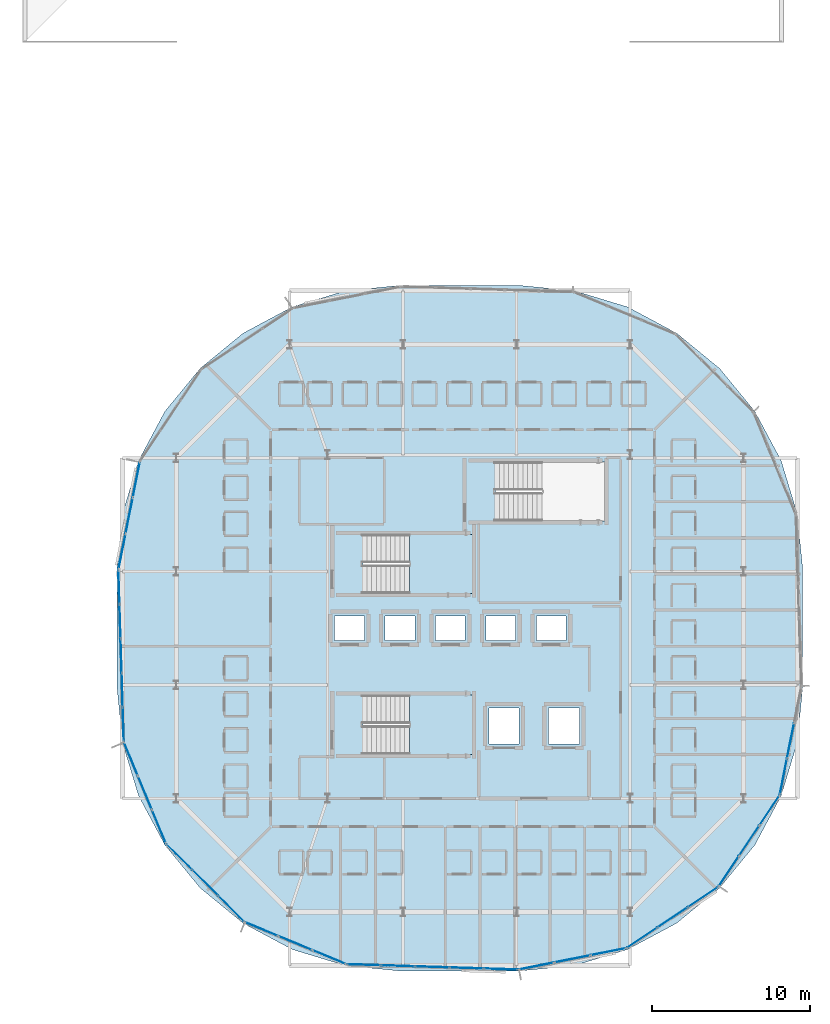
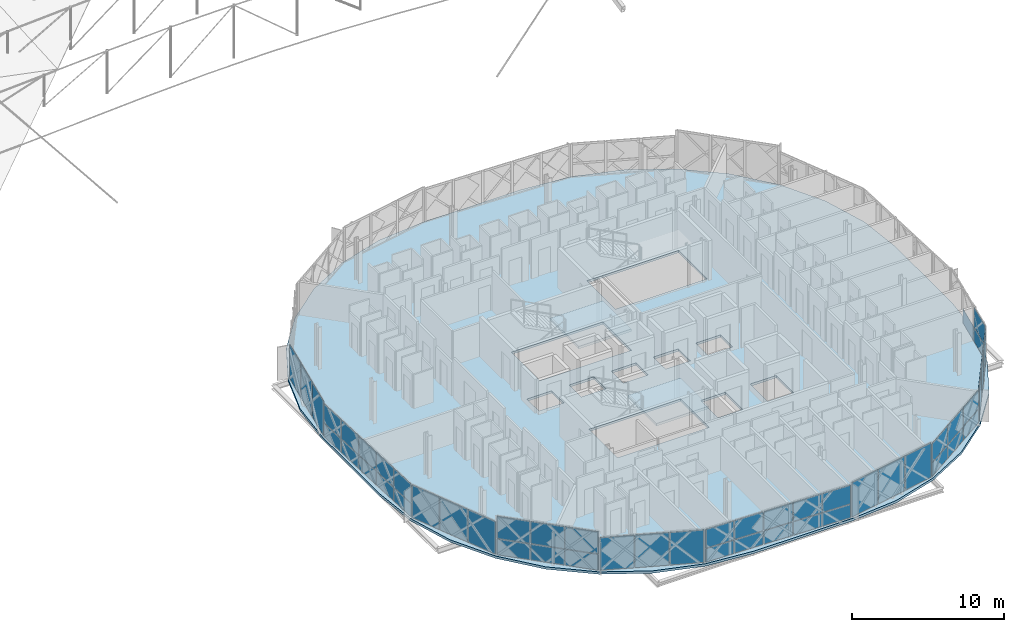
# One storey, part 35 of 50: 50 plates, 3 slabs, 12 elements without a shape of their own.
"""IFC4 building model written with IfcOpenShell, lengths in metres."""

from ifc_helpers import new_model, si_unit, direction, frame, origin, origin_2d, place, context, subcontext, project, spatial, polyline, rectangle, outline, extrude, material, layer, layer_set, type_object, element, aggregate, save


model = new_model("IFC4")

# Units and contexts
model_context = context("Model", 3, precision=1e-05, world=origin(), true_north=direction((0.0, 1.0)))
body_context = subcontext(model_context, "Body", "Model", "MODEL_VIEW")
ifc_project = project(units=[si_unit("LENGTHUNIT", "METRE"), si_unit("AREAUNIT", "SQUARE_METRE"), si_unit("VOLUMEUNIT", "CUBIC_METRE"), si_unit("PLANEANGLEUNIT", "RADIAN"), si_unit("MASSUNIT", "GRAM", prefix="KILO")], contexts=[model_context])

# Site, building, storey
site_placement = place(None, origin())
site = spatial("IfcSite", under=ifc_project, at=site_placement, CompositionType="ELEMENT")
building_placement = place(site_placement, origin())
building = spatial("IfcBuilding", under=site, at=building_placement, Name="Zevrakil Square Congress Hotel", CompositionType="ELEMENT")
storey_placement = place(building_placement, frame((0.0, 0.0, 21.5)))
storey = spatial("IfcBuildingStorey", under=building, at=storey_placement, Name="L06", CompositionType="ELEMENT", Elevation=21.5)

# Curtain wall, plate
ifc_material_1 = material(Name="Aluminium Anodised Bronze", Category="aluminium")
ifc_layer_1 = layer(ifc_material_1, 0.179931640625)
ifc_layer_set_1 = layer_set([ifc_layer_1], Name="Aluminium Anodised Bronze")
curtain_wall_type_1 = type_object("IfcCurtainWallType", Name="CW-L06-720", PredefinedType="USERDEFINED", material=ifc_layer_set_1)
curtain_wall_1_placement = place(storey_placement, origin())
curtain_wall_1 = element("IfcCurtainWall", 1, at=curtain_wall_1_placement, inside=storey, type_object=curtain_wall_type_1, Name="L06 diamond curtain wall CW-L06-0201", ObjectType="GLAZED CURTAIN WALL", PredefinedType="USERDEFINED")
ifc_material_2 = material(Name="Low-E Solar Control Double Glazing", Category="glass")
ifc_layer_2 = layer(ifc_material_2, 0.028076171875)
ifc_layer_set_2 = layer_set([ifc_layer_2], Name="Low-E Solar Control Double Glazing")
plate_type_1 = type_object("IfcPlateType", Name="CWP-GLAZ-28", PredefinedType="CURTAIN_PANEL", material=ifc_layer_set_2)
plate_1_placement = place(storey_placement, frame((150.06494140625, 6.170654296875, 0.06005859375), z_axis=(0.0, 0.0, 1.0), x_axis=(0.980786557708, 0.195083900459, 0.0)))
plate_1 = element("IfcPlate", 2, at=plate_1_placement, type_object=plate_type_1, Name="CW-70 panel 1.1", PredefinedType="CURTAIN_PANEL", context=body_context, shape_type="SweptSolid", body=[
    extrude(rectangle(XDim=2.2451171875, YDim=0.028076171875, at=origin_2d()), origin(), (0.0, 0.0, 1.0), 2.760009765625),
])

# Curtain wall, plates
curtain_wall_2_placement = place(storey_placement, origin())
curtain_wall_2 = element("IfcCurtainWall", 3, at=curtain_wall_2_placement, inside=storey, type_object=curtain_wall_type_1, Name="L06 diamond curtain wall CW-L06-0202", ObjectType="GLAZED CURTAIN WALL", PredefinedType="USERDEFINED")
plate_2_placement = place(storey_placement, frame((158.688720703125, 9.252685546875, 0.06005859375), z_axis=(0.0, 0.0, 1.0), x_axis=(0.831465693332, 0.555576098128, 0.0)))
plate_2 = element("IfcPlate", 4, at=plate_2_placement, type_object=plate_type_1, Name="CW-70 panel 2.1", PredefinedType="CURTAIN_PANEL", context=body_context, shape_type="SweptSolid", body=[
    extrude(rectangle(XDim=2.275146484375, YDim=0.028076171875, at=origin_2d()), origin(), (0.0, 0.0, 1.0), 1.056640625),
])
plate_3_placement = place(storey_placement, frame((160.61767578125, 10.541748046875, 0.06005859375), z_axis=(0.0, 0.0, 1.0), x_axis=(0.831465693332, 0.555576098128, 0.0)))
plate_3 = element("IfcPlate", 5, at=plate_3_placement, type_object=plate_type_1, Name="CW-70 panel 3.1", PredefinedType="CURTAIN_PANEL", context=body_context, shape_type="SweptSolid", body=[
    extrude(rectangle(XDim=2.2451171875, YDim=0.028076171875, at=origin_2d()), origin(), (0.0, 0.0, 1.0), 1.056640625),
])

# Curtain wall, plate
curtain_wall_3_placement = place(storey_placement, origin())
curtain_wall_3 = element("IfcCurtainWall", 6, at=curtain_wall_3_placement, inside=storey, type_object=curtain_wall_type_1, Name="L06 diamond curtain wall CW-L06-0203", ObjectType="GLAZED CURTAIN WALL", PredefinedType="USERDEFINED")
plate_4_placement = place(storey_placement, frame((163.547119140625, 14.111328125, 0.06005859375), z_axis=(0.0, 0.0, 1.0), x_axis=(0.555576098128, 0.831465693332, 0.0)))
plate_4 = element("IfcPlate", 7, at=plate_4_placement, type_object=plate_type_1, Name="CW-70 panel 2.1", PredefinedType="CURTAIN_PANEL", context=body_context, shape_type="SweptSolid", body=[
    extrude(rectangle(XDim=2.275146484375, YDim=0.028076171875, at=origin_2d()), origin(), (0.0, 0.0, 1.0), 2.610107421875),
])

# Curtain wall, plates
curtain_wall_4_placement = place(storey_placement, origin())
curtain_wall_4 = element("IfcCurtainWall", 8, at=curtain_wall_4_placement, inside=storey, type_object=curtain_wall_type_1, Name="L06 diamond curtain wall CW-L06-0204", ObjectType="GLAZED CURTAIN WALL", PredefinedType="USERDEFINED")
plate_5_placement = place(storey_placement, frame((165.72412109375, 18.183837890625, 0.06005859375), z_axis=(0.0, 0.0, 1.0), x_axis=(0.195083900459, 0.980786557708, 0.0)))
plate_5 = element("IfcPlate", 9, at=plate_5_placement, type_object=plate_type_1, Name="CW-70 panel 1.1", PredefinedType="CURTAIN_PANEL", context=body_context, shape_type="SweptSolid", body=[
    extrude(rectangle(XDim=2.2451171875, YDim=0.028076171875, at=origin_2d()), origin(), (0.0, 0.0, 1.0), 1.11962890625),
])
plate_6_placement = place(storey_placement, frame((166.1767578125, 20.45947265625, 0.06005859375), z_axis=(0.0, 0.0, 1.0), x_axis=(0.195083900459, 0.980786557708, 0.0)))
plate_6 = element("IfcPlate", 10, at=plate_6_placement, type_object=plate_type_1, Name="CW-70 panel 2.1", PredefinedType="CURTAIN_PANEL", context=body_context, shape_type="SweptSolid", body=[
    extrude(rectangle(XDim=2.275146484375, YDim=0.028076171875, at=origin_2d()), origin(), (0.0, 0.0, 1.0), 1.11962890625),
])

# Curtain wall, plate
curtain_wall_5_placement = place(storey_placement, origin())
curtain_wall_5 = element("IfcCurtainWall", 11, at=curtain_wall_5_placement, inside=storey, type_object=curtain_wall_type_1, Name="L06 diamond curtain wall CW-L06-0213", ObjectType="GLAZED CURTAIN WALL", PredefinedType="USERDEFINED")
plate_7_placement = place(storey_placement, frame((124.223388671875, 34.740478515625, 0.06005859375), z_axis=(0.0, 0.0, 1.0), x_axis=(-0.195083900459, -0.980786557708, 0.0)))
plate_7 = element("IfcPlate", 12, at=plate_7_placement, type_object=plate_type_1, Name="CW-70 panel 2.1", PredefinedType="CURTAIN_PANEL", context=body_context, shape_type="SweptSolid", body=[
    extrude(rectangle(XDim=2.275146484375, YDim=0.028076171875, at=origin_2d()), origin(), (0.0, 0.0, 1.0), 2.760009765625),
])

# Curtain wall, plates
ifc_material_3 = material(Name="Aluminium Anodised Bronze", Category="aluminium")
ifc_layer_3 = layer(ifc_material_3, 0.179931640625)
ifc_layer_set_3 = layer_set([ifc_layer_3], Name="Aluminium Anodised Bronze")
curtain_wall_type_2 = type_object("IfcCurtainWallType", Name="CW-L06-900", PredefinedType="USERDEFINED", material=ifc_layer_set_3)
curtain_wall_6_placement = place(storey_placement, origin())
curtain_wall_6 = element("IfcCurtainWall", 13, at=curtain_wall_6_placement, inside=storey, type_object=curtain_wall_type_2, Name="L06 diamond curtain wall CW-L06-0214", ObjectType="GLAZED CURTAIN WALL", PredefinedType="USERDEFINED")
plate_8_placement = place(storey_placement, frame((123.574951171875, 30.19873046875, 0.06005859375), z_axis=(0.0, 0.0, 1.0), x_axis=(0.031598464383, -0.999500643846, 0.0)))
plate_8 = element("IfcPlate", 14, at=plate_8_placement, type_object=plate_type_1, Name="CW-72 panel 1.1", PredefinedType="CURTAIN_PANEL", context=body_context, shape_type="SweptSolid", body=[
    extrude(rectangle(XDim=2.09375, YDim=0.028076171875, at=origin_2d()), origin(), (0.0, 0.0, 1.0), 1.056640625),
])
plate_9_placement = place(storey_placement, frame((123.6435546875, 28.03125, 0.06005859375), z_axis=(0.0, 0.0, 1.0), x_axis=(0.031598464383, -0.999500643846, 0.0)))
plate_9 = element("IfcPlate", 15, at=plate_9_placement, type_object=plate_type_1, Name="CW-72 panel 2.1", PredefinedType="CURTAIN_PANEL", context=body_context, shape_type="SweptSolid", body=[
    extrude(rectangle(XDim=2.12353515625, YDim=0.028076171875, at=origin_2d()), origin(), (0.0, 0.0, 1.0), 1.056640625),
])
plate_10_placement = place(storey_placement, frame((123.71240234375, 25.8486328125, 1.1767578125), z_axis=(0.0, 0.0, 1.0), x_axis=(0.031598464383, -0.999500643846, 0.0)))
plate_10 = element("IfcPlate", 16, at=plate_10_placement, type_object=plate_type_1, Name="CW-72 panel 3.2", PredefinedType="CURTAIN_PANEL", context=body_context, shape_type="SweptSolid", body=[
    extrude(rectangle(XDim=2.12353515625, YDim=0.028076171875, at=origin_2d()), origin(), (0.0, 0.0, 1.0), 1.493408203125),
])
plate_11_placement = place(storey_placement, frame((123.781494140625, 23.666015625, 1.1767578125), z_axis=(0.0, 0.0, 1.0), x_axis=(0.031598464383, -0.999500643846, 0.0)))
plate_11 = element("IfcPlate", 17, at=plate_11_placement, type_object=plate_type_1, Name="CW-72 panel 4.2", PredefinedType="CURTAIN_PANEL", context=body_context, shape_type="SweptSolid", body=[
    extrude(rectangle(XDim=2.12353515625, YDim=0.028076171875, at=origin_2d()), origin(), (0.0, 0.0, 1.0), 1.493408203125),
])

# Curtain wall, plate
curtain_wall_7_placement = place(storey_placement, origin())
curtain_wall_7 = element("IfcCurtainWall", 18, at=curtain_wall_7_placement, inside=storey, type_object=curtain_wall_type_1, Name="L06 diamond curtain wall CW-L06-0215", ObjectType="GLAZED CURTAIN WALL", PredefinedType="USERDEFINED")
plate_12_placement = place(storey_placement, frame((125.2255859375, 17.156005859375, 0.06005859375), z_axis=(0.0, 0.0, 1.0), x_axis=(0.382683763454, -0.92387939537, 0.0)))
plate_12 = element("IfcPlate", 19, at=plate_12_placement, type_object=plate_type_1, Name="CW-70 panel 2.1", PredefinedType="CURTAIN_PANEL", context=body_context, shape_type="SweptSolid", body=[
    extrude(rectangle(XDim=2.275146484375, YDim=0.028076171875, at=origin_2d()), origin(), (0.0, 0.0, 1.0), 2.610107421875),
])

# Curtain wall, plates
curtain_wall_8_placement = place(storey_placement, origin())
curtain_wall_8 = element("IfcCurtainWall", 20, at=curtain_wall_8_placement, inside=storey, type_object=curtain_wall_type_1, Name="L06 diamond curtain wall CW-L06-0216", ObjectType="GLAZED CURTAIN WALL", PredefinedType="USERDEFINED")
plate_13_placement = place(storey_placement, frame((127.40234375, 13.08349609375, 0.06005859375), z_axis=(0.0, 0.0, 1.0), x_axis=(0.707106781187, -0.707106781187, 0.0)))
plate_13 = element("IfcPlate", 21, at=plate_13_placement, type_object=plate_type_1, Name="CW-70 panel 1.1", PredefinedType="CURTAIN_PANEL", context=body_context, shape_type="SweptSolid", body=[
    extrude(rectangle(XDim=2.2451171875, YDim=0.028076171875, at=origin_2d()), origin(), (0.0, 0.0, 1.0), 1.251953125),
])
plate_14_placement = place(storey_placement, frame((129.04296875, 11.44287109375, 1.371826171875), z_axis=(0.0, 0.0, 1.0), x_axis=(0.707106781187, -0.707106781187, 0.0)))
plate_14 = element("IfcPlate", 22, at=plate_14_placement, type_object=plate_type_1, Name="CW-70 panel 2.2", PredefinedType="CURTAIN_PANEL", context=body_context, shape_type="SweptSolid", body=[
    extrude(rectangle(XDim=2.275146484375, YDim=0.028076171875, at=origin_2d()), origin(), (0.0, 0.0, 1.0), 1.76318359375),
])
plate_15_placement = place(storey_placement, frame((130.68359375, 9.80224609375, 1.371826171875), z_axis=(0.0, 0.0, 1.0), x_axis=(0.707106781187, -0.707106781187, 0.0)))
plate_15 = element("IfcPlate", 23, at=plate_15_placement, type_object=plate_type_1, Name="CW-70 panel 3.2", PredefinedType="CURTAIN_PANEL", context=body_context, shape_type="SweptSolid", body=[
    extrude(rectangle(XDim=2.2451171875, YDim=0.028076171875, at=origin_2d()), origin(), (0.0, 0.0, 1.0), 1.76318359375),
])

# Curtain wall, plate
curtain_wall_9_placement = place(storey_placement, origin())
curtain_wall_9 = element("IfcCurtainWall", 24, at=curtain_wall_9_placement, inside=storey, type_object=curtain_wall_type_1, Name="L06 diamond curtain wall CW-L06-0217", ObjectType="GLAZED CURTAIN WALL", PredefinedType="USERDEFINED")
plate_16_placement = place(storey_placement, frame((136.899658203125, 6.737548828125, 0.06005859375), z_axis=(0.0, 0.0, 1.0), x_axis=(0.92387939537, -0.382683763454, 0.0)))
plate_16 = element("IfcPlate", 25, at=plate_16_placement, type_object=plate_type_1, Name="CW-70 panel 3.1", PredefinedType="CURTAIN_PANEL", context=body_context, shape_type="SweptSolid", body=[
    extrude(rectangle(XDim=2.245361328125, YDim=0.028076171875, at=origin_2d()), origin(), (0.0, 0.0, 1.0), 2.610107421875),
])

# Curtain wall, plates
curtain_wall_10_placement = place(storey_placement, origin())
curtain_wall_10 = element("IfcCurtainWall", 26, at=curtain_wall_10_placement, inside=storey, type_object=curtain_wall_type_2, Name="L06 diamond curtain wall CW-L06-0218", ObjectType="GLAZED CURTAIN WALL", PredefinedType="USERDEFINED")
plate_17_placement = place(storey_placement, frame((139.098388671875, 6.25, 1.1767578125), z_axis=(0.0, 0.0, 1.0), x_axis=(0.999500643846, -0.031598464383, 0.0)))
plate_17 = element("IfcPlate", 27, at=plate_17_placement, type_object=plate_type_1, Name="CW-72 panel 1.2", PredefinedType="CURTAIN_PANEL", context=body_context, shape_type="SweptSolid", body=[
    extrude(rectangle(XDim=2.09375, YDim=0.028076171875, at=origin_2d()), origin(), (0.0, 0.0, 1.0), 1.493408203125),
])
plate_18_placement = place(storey_placement, frame((141.26611328125, 6.181396484375, 1.1767578125), z_axis=(0.0, 0.0, 1.0), x_axis=(0.999500643846, -0.031598464383, 0.0)))
plate_18 = element("IfcPlate", 28, at=plate_18_placement, type_object=plate_type_1, Name="CW-72 panel 2.2", PredefinedType="CURTAIN_PANEL", context=body_context, shape_type="SweptSolid", body=[
    extrude(rectangle(XDim=2.12353515625, YDim=0.028076171875, at=origin_2d()), origin(), (0.0, 0.0, 1.0), 1.493408203125),
])
plate_19_placement = place(storey_placement, frame((145.631103515625, 6.04345703125, 0.06005859375), z_axis=(0.0, 0.0, 1.0), x_axis=(0.999500643846, -0.031598464383, 0.0)))
plate_19 = element("IfcPlate", 29, at=plate_19_placement, type_object=plate_type_1, Name="CW-72 panel 4.1", PredefinedType="CURTAIN_PANEL", context=body_context, shape_type="SweptSolid", body=[
    extrude(rectangle(XDim=2.12353515625, YDim=0.028076171875, at=origin_2d()), origin(), (0.0, 0.0, 1.0), 1.056640625),
])
plate_20_placement = place(storey_placement, frame((147.798828125, 5.974853515625, 0.06005859375), z_axis=(0.0, 0.0, 1.0), x_axis=(0.999500643846, -0.031598464383, 0.0)))
plate_20 = element("IfcPlate", 30, at=plate_20_placement, type_object=plate_type_1, Name="CW-72 panel 5.1", PredefinedType="CURTAIN_PANEL", context=body_context, shape_type="SweptSolid", body=[
    extrude(rectangle(XDim=2.09375, YDim=0.028076171875, at=origin_2d()), origin(), (0.0, 0.0, 1.0), 1.056640625),
])

# Plate
ifc_material_4 = material(Name="Basalt Grey Ribbed GRC Panel", Category="masonry")
ifc_layer_4 = layer(ifc_material_4, 0.0439453125)
ifc_layer_set_4 = layer_set([ifc_layer_4], Name="Basalt Grey Ribbed GRC Panel")
plate_type_2 = type_object("IfcPlateType", Name="CWP-GRCG-44", PredefinedType="CURTAIN_PANEL", material=ifc_layer_set_4)
plate_21_placement = place(storey_placement, frame((154.6162109375, 7.075927734375, 0.06005859375), z_axis=(0.0, 0.0, 1.0), x_axis=(0.980786557708, 0.195083900459, 0.0)))
plate_21 = element("IfcPlate", 31, at=plate_21_placement, type_object=plate_type_2, Name="CW-70 panel 3.1", PredefinedType="CURTAIN_PANEL", context=body_context, shape_type="SweptSolid", body=[
    extrude(rectangle(XDim=2.2451171875, YDim=0.028076171875, at=origin_2d()), origin(), (0.0, 0.0, 1.0), 2.760009765625),
])

plate_22_placement = place(storey_placement, frame((156.759521484375, 7.963623046875, 1.1767578125), z_axis=(0.0, 0.0, 1.0), x_axis=(0.831465693332, 0.555576098128, 0.0)))
plate_22 = element("IfcPlate", 32, at=plate_22_placement, type_object=plate_type_2, Name="CW-70 panel 1.2", PredefinedType="CURTAIN_PANEL", context=body_context, shape_type="SweptSolid", body=[
    extrude(rectangle(XDim=2.2451171875, YDim=0.028076171875, at=origin_2d()), origin(), (0.0, 0.0, 1.0), 1.493408203125),
])

plate_23_placement = place(storey_placement, frame((162.258056640625, 12.18212890625, 0.06005859375), z_axis=(0.0, 0.0, 1.0), x_axis=(0.555576098128, 0.831465693332, 0.0)))
plate_23 = element("IfcPlate", 33, at=plate_23_placement, type_object=plate_type_2, Name="CW-70 panel 1.1", PredefinedType="CURTAIN_PANEL", context=body_context, shape_type="SweptSolid", body=[
    extrude(rectangle(XDim=2.2451171875, YDim=0.028076171875, at=origin_2d()), origin(), (0.0, 0.0, 1.0), 2.610107421875),
])

plate_24_placement = place(storey_placement, frame((124.676025390625, 37.01611328125, 0.06005859375), z_axis=(0.0, 0.0, 1.0), x_axis=(-0.195083900459, -0.980786557708, 0.0)))
plate_24 = element("IfcPlate", 34, at=plate_24_placement, type_object=plate_type_2, Name="CW-70 panel 1.1", PredefinedType="CURTAIN_PANEL", context=body_context, shape_type="SweptSolid", body=[
    extrude(rectangle(XDim=2.2451171875, YDim=0.028076171875, at=origin_2d()), origin(), (0.0, 0.0, 1.0), 2.760009765625),
])

plate_25_placement = place(storey_placement, frame((123.71240234375, 25.8486328125, 0.06005859375), z_axis=(0.0, 0.0, 1.0), x_axis=(0.031598464383, -0.999500643846, 0.0)))
plate_25 = element("IfcPlate", 35, at=plate_25_placement, type_object=plate_type_2, Name="CW-72 panel 3.1", PredefinedType="CURTAIN_PANEL", context=body_context, shape_type="SweptSolid", body=[
    extrude(rectangle(XDim=2.12353515625, YDim=0.028076171875, at=origin_2d()), origin(), (0.0, 0.0, 1.0), 1.056640625),
])

plate_26_placement = place(storey_placement, frame((123.85009765625, 21.49853515625, 1.1767578125), z_axis=(0.0, 0.0, 1.0), x_axis=(0.031598464383, -0.999500643846, 0.0)))
plate_26 = element("IfcPlate", 36, at=plate_26_placement, type_object=plate_type_2, Name="CW-72 panel 5.2", PredefinedType="CURTAIN_PANEL", context=body_context, shape_type="SweptSolid", body=[
    extrude(rectangle(XDim=2.09375, YDim=0.028076171875, at=origin_2d()), origin(), (0.0, 0.0, 1.0), 1.493408203125),
])

plate_27_placement = place(storey_placement, frame((129.04296875, 11.44287109375, 0.06005859375), z_axis=(0.0, 0.0, 1.0), x_axis=(0.707106781187, -0.707106781187, 0.0)))
plate_27 = element("IfcPlate", 37, at=plate_27_placement, type_object=plate_type_2, Name="CW-70 panel 2.1", PredefinedType="CURTAIN_PANEL", context=body_context, shape_type="SweptSolid", body=[
    extrude(rectangle(XDim=2.275146484375, YDim=0.028076171875, at=origin_2d()), origin(), (0.0, 0.0, 1.0), 1.251953125),
])

plate_28_placement = place(storey_placement, frame((134.755859375, 7.62548828125, 0.06005859375), z_axis=(0.0, 0.0, 1.0), x_axis=(0.92387939537, -0.382683763454, 0.0)))
plate_28 = element("IfcPlate", 38, at=plate_28_placement, type_object=plate_type_2, Name="CW-70 panel 2.1", PredefinedType="CURTAIN_PANEL", context=body_context, shape_type="SweptSolid", body=[
    extrude(rectangle(XDim=2.275146484375, YDim=0.028076171875, at=origin_2d()), origin(), (0.0, 0.0, 1.0), 2.610107421875),
])

plate_29_placement = place(storey_placement, frame((139.098388671875, 6.25, 0.06005859375), z_axis=(0.0, 0.0, 1.0), x_axis=(0.999500643846, -0.031598464383, 0.0)))
plate_29 = element("IfcPlate", 39, at=plate_29_placement, type_object=plate_type_2, Name="CW-72 panel 1.1", PredefinedType="CURTAIN_PANEL", context=body_context, shape_type="SweptSolid", body=[
    extrude(rectangle(XDim=2.09375, YDim=0.028076171875, at=origin_2d()), origin(), (0.0, 0.0, 1.0), 1.056640625),
])

plate_30_placement = place(storey_placement, frame((143.448486328125, 6.112548828125, 1.1767578125), z_axis=(0.0, 0.0, 1.0), x_axis=(0.999500643846, -0.031598464383, 0.0)))
plate_30 = element("IfcPlate", 40, at=plate_30_placement, type_object=plate_type_2, Name="CW-72 panel 3.2", PredefinedType="CURTAIN_PANEL", context=body_context, shape_type="SweptSolid", body=[
    extrude(rectangle(XDim=2.12353515625, YDim=0.028076171875, at=origin_2d()), origin(), (0.0, 0.0, 1.0), 1.493408203125),
])

ifc_material_5 = material(Name="White Ribbed Highland GRC Panel", Category="concrete")
ifc_layer_5 = layer(ifc_material_5, 0.0400390625)
ifc_layer_set_5 = layer_set([ifc_layer_5], Name="White Ribbed Highland GRC Panel")
plate_type_3 = type_object("IfcPlateType", Name="CWP-GRCW-40", PredefinedType="CURTAIN_PANEL", material=ifc_layer_set_5)
plate_31_placement = place(storey_placement, frame((152.340576171875, 6.623291015625, 0.06005859375), z_axis=(0.0, 0.0, 1.0), x_axis=(0.980786557708, 0.195083900459, 0.0)))
plate_31 = element("IfcPlate", 41, at=plate_31_placement, type_object=plate_type_3, Name="CW-70 panel 2.1", PredefinedType="CURTAIN_PANEL", context=body_context, shape_type="SweptSolid", body=[
    extrude(rectangle(XDim=2.275146484375, YDim=0.028076171875, at=origin_2d()), origin(), (0.0, 0.0, 1.0), 2.760009765625),
])

aggregate(curtain_wall_1, [plate_1, plate_31, plate_21])

plate_32_placement = place(storey_placement, frame((156.759521484375, 7.963623046875, 0.06005859375), z_axis=(0.0, 0.0, 1.0), x_axis=(0.831465693332, 0.555576098128, 0.0)))
plate_32 = element("IfcPlate", 42, at=plate_32_placement, type_object=plate_type_3, Name="CW-70 panel 1.1", PredefinedType="CURTAIN_PANEL", context=body_context, shape_type="SweptSolid", body=[
    extrude(rectangle(XDim=2.2451171875, YDim=0.028076171875, at=origin_2d()), origin(), (0.0, 0.0, 1.0), 1.056640625),
])

plate_33_placement = place(storey_placement, frame((158.688720703125, 9.252685546875, 1.1767578125), z_axis=(0.0, 0.0, 1.0), x_axis=(0.831465693332, 0.555576098128, 0.0)))
plate_33 = element("IfcPlate", 43, at=plate_33_placement, type_object=plate_type_3, Name="CW-70 panel 2.2", PredefinedType="CURTAIN_PANEL", context=body_context, shape_type="SweptSolid", body=[
    extrude(rectangle(XDim=2.275146484375, YDim=0.028076171875, at=origin_2d()), origin(), (0.0, 0.0, 1.0), 1.493408203125),
])

plate_34_placement = place(storey_placement, frame((160.61767578125, 10.541748046875, 1.1767578125), z_axis=(0.0, 0.0, 1.0), x_axis=(0.831465693332, 0.555576098128, 0.0)))
plate_34 = element("IfcPlate", 44, at=plate_34_placement, type_object=plate_type_3, Name="CW-70 panel 3.2", PredefinedType="CURTAIN_PANEL", context=body_context, shape_type="SweptSolid", body=[
    extrude(rectangle(XDim=2.2451171875, YDim=0.028076171875, at=origin_2d()), origin(), (0.0, 0.0, 1.0), 1.493408203125),
])

aggregate(curtain_wall_2, [plate_32, plate_22, plate_2, plate_33, plate_3, plate_34])

plate_35_placement = place(storey_placement, frame((164.836181640625, 16.04052734375, 0.06005859375), z_axis=(0.0, 0.0, 1.0), x_axis=(0.555576098128, 0.831465693332, 0.0)))
plate_35 = element("IfcPlate", 45, at=plate_35_placement, type_object=plate_type_3, Name="CW-70 panel 3.1", PredefinedType="CURTAIN_PANEL", context=body_context, shape_type="SweptSolid", body=[
    extrude(rectangle(XDim=2.2451171875, YDim=0.028076171875, at=origin_2d()), origin(), (0.0, 0.0, 1.0), 2.610107421875),
])

aggregate(curtain_wall_3, [plate_23, plate_4, plate_35])

plate_36_placement = place(storey_placement, frame((165.72412109375, 18.183837890625, 1.23974609375), z_axis=(0.0, 0.0, 1.0), x_axis=(0.195083900459, 0.980786557708, 0.0)))
plate_36 = element("IfcPlate", 46, at=plate_36_placement, type_object=plate_type_3, Name="CW-70 panel 1.2", PredefinedType="CURTAIN_PANEL", context=body_context, shape_type="SweptSolid", body=[
    extrude(rectangle(XDim=2.2451171875, YDim=0.028076171875, at=origin_2d()), origin(), (0.0, 0.0, 1.0), 1.580322265625),
])

aggregate(curtain_wall_4, [plate_5, plate_36, plate_6])

plate_37_placement = place(storey_placement, frame((123.770751953125, 32.46484375, 0.06005859375), z_axis=(0.0, 0.0, 1.0), x_axis=(-0.195083900459, -0.980786557708, 0.0)))
plate_37 = element("IfcPlate", 47, at=plate_37_placement, type_object=plate_type_3, Name="CW-70 panel 3.1", PredefinedType="CURTAIN_PANEL", context=body_context, shape_type="SweptSolid", body=[
    extrude(rectangle(XDim=2.2451171875, YDim=0.028076171875, at=origin_2d()), origin(), (0.0, 0.0, 1.0), 2.760009765625),
])

aggregate(curtain_wall_5, [plate_24, plate_7, plate_37])

plate_38_placement = place(storey_placement, frame((123.574951171875, 30.19873046875, 1.1767578125), z_axis=(0.0, 0.0, 1.0), x_axis=(0.031598464383, -0.999500643846, 0.0)))
plate_38 = element("IfcPlate", 48, at=plate_38_placement, type_object=plate_type_3, Name="CW-72 panel 1.2", PredefinedType="CURTAIN_PANEL", context=body_context, shape_type="SweptSolid", body=[
    extrude(rectangle(XDim=2.09375, YDim=0.028076171875, at=origin_2d()), origin(), (0.0, 0.0, 1.0), 1.493408203125),
])

plate_39_placement = place(storey_placement, frame((123.6435546875, 28.03125, 1.1767578125), z_axis=(0.0, 0.0, 1.0), x_axis=(0.031598464383, -0.999500643846, 0.0)))
plate_39 = element("IfcPlate", 49, at=plate_39_placement, type_object=plate_type_3, Name="CW-72 panel 2.2", PredefinedType="CURTAIN_PANEL", context=body_context, shape_type="SweptSolid", body=[
    extrude(rectangle(XDim=2.12353515625, YDim=0.028076171875, at=origin_2d()), origin(), (0.0, 0.0, 1.0), 1.493408203125),
])

plate_40_placement = place(storey_placement, frame((123.781494140625, 23.666015625, 0.06005859375), z_axis=(0.0, 0.0, 1.0), x_axis=(0.031598464383, -0.999500643846, 0.0)))
plate_40 = element("IfcPlate", 50, at=plate_40_placement, type_object=plate_type_3, Name="CW-72 panel 4.1", PredefinedType="CURTAIN_PANEL", context=body_context, shape_type="SweptSolid", body=[
    extrude(rectangle(XDim=2.12353515625, YDim=0.028076171875, at=origin_2d()), origin(), (0.0, 0.0, 1.0), 1.056640625),
])

plate_41_placement = place(storey_placement, frame((123.85009765625, 21.49853515625, 0.06005859375), z_axis=(0.0, 0.0, 1.0), x_axis=(0.031598464383, -0.999500643846, 0.0)))
plate_41 = element("IfcPlate", 51, at=plate_41_placement, type_object=plate_type_3, Name="CW-72 panel 5.1", PredefinedType="CURTAIN_PANEL", context=body_context, shape_type="SweptSolid", body=[
    extrude(rectangle(XDim=2.09375, YDim=0.028076171875, at=origin_2d()), origin(), (0.0, 0.0, 1.0), 1.056640625),
])

aggregate(curtain_wall_6, [plate_8, plate_38, plate_9, plate_39, plate_25, plate_10, plate_40, plate_11, plate_41, plate_26])

plate_42_placement = place(storey_placement, frame((124.337646484375, 19.299560546875, 0.06005859375), z_axis=(0.0, 0.0, 1.0), x_axis=(0.382683763454, -0.92387939537, 0.0)))
plate_42 = element("IfcPlate", 52, at=plate_42_placement, type_object=plate_type_3, Name="CW-70 panel 1.1", PredefinedType="CURTAIN_PANEL", context=body_context, shape_type="SweptSolid", body=[
    extrude(rectangle(XDim=2.245361328125, YDim=0.028076171875, at=origin_2d()), origin(), (0.0, 0.0, 1.0), 2.610107421875),
])

plate_43_placement = place(storey_placement, frame((126.113525390625, 15.01220703125, 0.06005859375), z_axis=(0.0, 0.0, 1.0), x_axis=(0.382683763454, -0.92387939537, 0.0)))
plate_43 = element("IfcPlate", 53, at=plate_43_placement, type_object=plate_type_3, Name="CW-70 panel 3.1", PredefinedType="CURTAIN_PANEL", context=body_context, shape_type="SweptSolid", body=[
    extrude(rectangle(XDim=2.245361328125, YDim=0.028076171875, at=origin_2d()), origin(), (0.0, 0.0, 1.0), 2.610107421875),
])

aggregate(curtain_wall_7, [plate_42, plate_12, plate_43])

plate_44_placement = place(storey_placement, frame((127.40234375, 13.08349609375, 1.371826171875), z_axis=(0.0, 0.0, 1.0), x_axis=(0.707106781187, -0.707106781187, 0.0)))
plate_44 = element("IfcPlate", 54, at=plate_44_placement, type_object=plate_type_3, Name="CW-70 panel 1.2", PredefinedType="CURTAIN_PANEL", context=body_context, shape_type="SweptSolid", body=[
    extrude(rectangle(XDim=2.2451171875, YDim=0.028076171875, at=origin_2d()), origin(), (0.0, 0.0, 1.0), 1.76318359375),
])

plate_45_placement = place(storey_placement, frame((130.68359375, 9.80224609375, 0.06005859375), z_axis=(0.0, 0.0, 1.0), x_axis=(0.707106781187, -0.707106781187, 0.0)))
plate_45 = element("IfcPlate", 55, at=plate_45_placement, type_object=plate_type_3, Name="CW-70 panel 3.1", PredefinedType="CURTAIN_PANEL", context=body_context, shape_type="SweptSolid", body=[
    extrude(rectangle(XDim=2.2451171875, YDim=0.028076171875, at=origin_2d()), origin(), (0.0, 0.0, 1.0), 1.251953125),
])

aggregate(curtain_wall_8, [plate_13, plate_44, plate_27, plate_14, plate_45, plate_15])

plate_46_placement = place(storey_placement, frame((132.6123046875, 8.513427734375, 0.06005859375), z_axis=(0.0, 0.0, 1.0), x_axis=(0.92387939537, -0.382683763454, 0.0)))
plate_46 = element("IfcPlate", 56, at=plate_46_placement, type_object=plate_type_3, Name="CW-70 panel 1.1", PredefinedType="CURTAIN_PANEL", context=body_context, shape_type="SweptSolid", body=[
    extrude(rectangle(XDim=2.245361328125, YDim=0.028076171875, at=origin_2d()), origin(), (0.0, 0.0, 1.0), 2.610107421875),
])

aggregate(curtain_wall_9, [plate_46, plate_28, plate_16])

plate_47_placement = place(storey_placement, frame((141.26611328125, 6.181396484375, 0.06005859375), z_axis=(0.0, 0.0, 1.0), x_axis=(0.999500643846, -0.031598464383, 0.0)))
plate_47 = element("IfcPlate", 57, at=plate_47_placement, type_object=plate_type_3, Name="CW-72 panel 2.1", PredefinedType="CURTAIN_PANEL", context=body_context, shape_type="SweptSolid", body=[
    extrude(rectangle(XDim=2.12353515625, YDim=0.028076171875, at=origin_2d()), origin(), (0.0, 0.0, 1.0), 1.056640625),
])

plate_48_placement = place(storey_placement, frame((143.448486328125, 6.112548828125, 0.06005859375), z_axis=(0.0, 0.0, 1.0), x_axis=(0.999500643846, -0.031598464383, 0.0)))
plate_48 = element("IfcPlate", 58, at=plate_48_placement, type_object=plate_type_3, Name="CW-72 panel 3.1", PredefinedType="CURTAIN_PANEL", context=body_context, shape_type="SweptSolid", body=[
    extrude(rectangle(XDim=2.12353515625, YDim=0.028076171875, at=origin_2d()), origin(), (0.0, 0.0, 1.0), 1.056640625),
])

plate_49_placement = place(storey_placement, frame((145.631103515625, 6.04345703125, 1.1767578125), z_axis=(0.0, 0.0, 1.0), x_axis=(0.999500643846, -0.031598464383, 0.0)))
plate_49 = element("IfcPlate", 59, at=plate_49_placement, type_object=plate_type_3, Name="CW-72 panel 4.2", PredefinedType="CURTAIN_PANEL", context=body_context, shape_type="SweptSolid", body=[
    extrude(rectangle(XDim=2.12353515625, YDim=0.028076171875, at=origin_2d()), origin(), (0.0, 0.0, 1.0), 1.493408203125),
])

plate_50_placement = place(storey_placement, frame((147.798828125, 5.974853515625, 1.1767578125), z_axis=(0.0, 0.0, 1.0), x_axis=(0.999500643846, -0.031598464383, 0.0)))
plate_50 = element("IfcPlate", 60, at=plate_50_placement, type_object=plate_type_3, Name="CW-72 panel 5.2", PredefinedType="CURTAIN_PANEL", context=body_context, shape_type="SweptSolid", body=[
    extrude(rectangle(XDim=2.09375, YDim=0.028076171875, at=origin_2d()), origin(), (0.0, 0.0, 1.0), 1.493408203125),
])

aggregate(curtain_wall_10, [plate_29, plate_17, plate_47, plate_18, plate_48, plate_30, plate_19, plate_49, plate_20, plate_50])

# Slab
ifc_material_6 = material(Name="Concrete C35/45", Category="concrete")
ifc_layer_6 = layer(ifc_material_6, 0.18994140625)
ifc_layer_set_6 = layer_set([ifc_layer_6], Name="Concrete C35/45")
slab_type_1 = type_object("IfcSlabType", Name="SLB-DRUM-190", PredefinedType="FLOOR", material=ifc_layer_set_6)
slab_1_placement = place(storey_placement, frame((0.0, 0.0, -0.18994140625)))
element("IfcSlab", 61, at=slab_1_placement, inside=storey, type_object=slab_type_1, Name="L06 swelling hotel drum floor slab", PredefinedType="FLOOR", context=body_context, shape_type="SweptSolid", body=[
    extrude(outline(polyline([(148.949951171875, 5.85009765625), (152.461669921875, 6.19580078125), (155.83837890625, 7.22021484375), (158.9501953125, 8.883544921875), (161.677978515625, 11.1220703125), (163.91650390625, 13.849609375), (165.579833984375, 16.961669921875), (166.60400390625, 20.33837890625), (166.949951171875, 23.85009765625), (166.949951171875, 31.35009765625), (166.60400390625, 34.861572265625), (165.579833984375, 38.23828125), (163.91650390625, 41.350341796875), (161.677978515625, 44.077880859375), (158.9501953125, 46.31640625), (155.83837890625, 47.979736328125), (152.461669921875, 49.004150390625), (148.949951171875, 49.35009765625), (141.449951171875, 49.35009765625), (137.9384765625, 49.004150390625), (134.561767578125, 47.979736328125), (131.44970703125, 46.31640625), (128.72216796875, 44.077880859375), (126.4833984375, 41.350341796875), (124.8203125, 38.23828125), (123.7958984375, 34.861572265625), (123.449951171875, 31.35009765625), (123.449951171875, 23.85009765625), (123.7958984375, 20.33837890625), (124.8203125, 16.961669921875), (126.4833984375, 13.849609375), (128.72216796875, 11.1220703125), (131.44970703125, 8.883544921875), (134.561767578125, 7.22021484375), (137.9384765625, 6.19580078125), (141.449951171875, 5.85009765625), (148.949951171875, 5.85009765625)]), holes=[polyline([(139.044921875, 19.60009765625), (146.0, 19.60009765625), (146.0, 23.35009765625), (139.044921875, 23.35009765625), (139.044921875, 19.60009765625)]), polyline([(139.044921875, 29.800048828125), (146.0, 29.800048828125), (146.0, 33.550048828125), (139.044921875, 33.550048828125), (139.044921875, 29.800048828125)]), polyline([(147.445068359375, 34.39990234375), (154.39990234375, 34.39990234375), (154.39990234375, 38.14990234375), (147.445068359375, 38.14990234375), (147.445068359375, 34.39990234375)]), polyline([(137.260009765625, 26.81005859375), (139.139892578125, 26.81005859375), (139.139892578125, 28.389892578125), (137.260009765625, 28.389892578125), (137.260009765625, 26.81005859375)]), polyline([(140.4599609375, 26.81005859375), (142.340087890625, 26.81005859375), (142.340087890625, 28.389892578125), (140.4599609375, 28.389892578125), (140.4599609375, 26.81005859375)]), polyline([(143.659912109375, 26.81005859375), (145.5400390625, 26.81005859375), (145.5400390625, 28.389892578125), (143.659912109375, 28.389892578125), (143.659912109375, 26.81005859375)]), polyline([(146.860107421875, 26.81005859375), (148.739990234375, 26.81005859375), (148.739990234375, 28.389892578125), (146.860107421875, 28.389892578125), (146.860107421875, 26.81005859375)]), polyline([(150.06005859375, 26.81005859375), (151.93994140625, 26.81005859375), (151.93994140625, 28.389892578125), (150.06005859375, 28.389892578125), (150.06005859375, 26.81005859375)]), polyline([(147.06005859375, 20.260009765625), (148.93994140625, 20.260009765625), (148.93994140625, 22.5400390625), (147.06005859375, 22.5400390625), (147.06005859375, 20.260009765625)]), polyline([(150.81005859375, 20.260009765625), (152.7900390625, 20.260009765625), (152.7900390625, 22.5400390625), (150.81005859375, 22.5400390625), (150.81005859375, 20.260009765625)])]), origin(), (0.0, 0.0, 1.0), 0.18994140625),
])

# Stair, slab
ifc_material_7 = material(Name="Concrete C35/45", Category="concrete")
stair_type = type_object("IfcStairType", Name="STR-DOGLEG-180", PredefinedType="HALF_TURN_STAIR", material=ifc_material_7)
stair_1_placement = place(storey_placement, origin())
stair_1 = element("IfcStair", 62, at=stair_1_placement, inside=storey, type_object=stair_type, Name="L06 Protected exit stair ST01", PredefinedType="HALF_TURN_STAIR")
ifc_material_8 = material(Name="Concrete C35/45", Category="concrete")
ifc_layer_7 = layer(ifc_material_8, 0.199951171875)
ifc_layer_set_7 = layer_set([ifc_layer_7], Name="Concrete C35/45")
slab_type_2 = type_object("IfcSlabType", Name="SLB-STAIR-LAND-200", PredefinedType="LANDING", material=ifc_layer_set_7)
slab_2_placement = place(storey_placement, frame((0.0, 0.0, 1.5)))
slab_2 = element("IfcSlab", 63, at=slab_2_placement, type_object=slab_type_2, Name="ST01 landing 1", PredefinedType="LANDING", context=body_context, shape_type="SweptSolid", body=[
    extrude(outline(polyline([(142.0, 19.60009765625), (146.0, 19.60009765625), (146.0, 23.35009765625), (142.0, 23.35009765625), (142.0, 19.60009765625)])), origin(), (0.0, 0.0, 1.0), 0.199951171875),
])
aggregate(stair_1, [slab_2])

stair_2_placement = place(storey_placement, origin())
stair_2 = element("IfcStair", 64, at=stair_2_placement, inside=storey, type_object=stair_type, Name="L06 Protected exit stair ST02", PredefinedType="HALF_TURN_STAIR")
slab_3_placement = place(storey_placement, frame((0.0, 0.0, 1.5)))
slab_3 = element("IfcSlab", 65, at=slab_3_placement, type_object=slab_type_2, Name="ST02 landing 1", PredefinedType="LANDING", context=body_context, shape_type="SweptSolid", body=[
    extrude(outline(polyline([(142.0, 29.800048828125), (146.0, 29.800048828125), (146.0, 33.550048828125), (142.0, 33.550048828125), (142.0, 29.800048828125)])), origin(), (0.0, 0.0, 1.0), 0.199951171875),
])
aggregate(stair_2, [slab_3])

save(model, "model.ifc")
